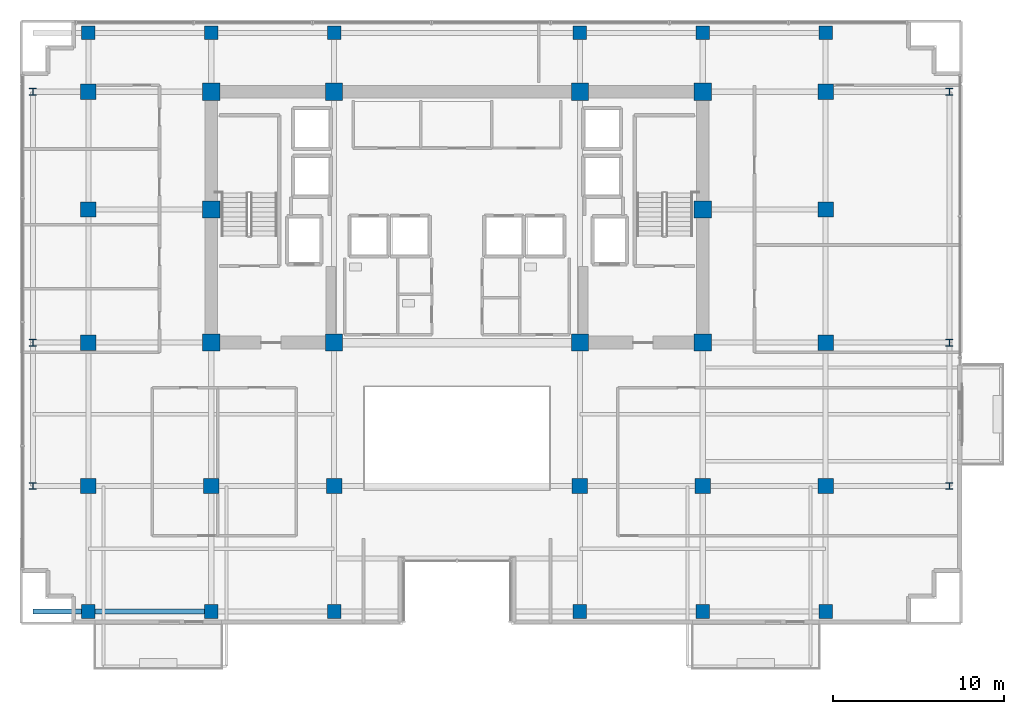
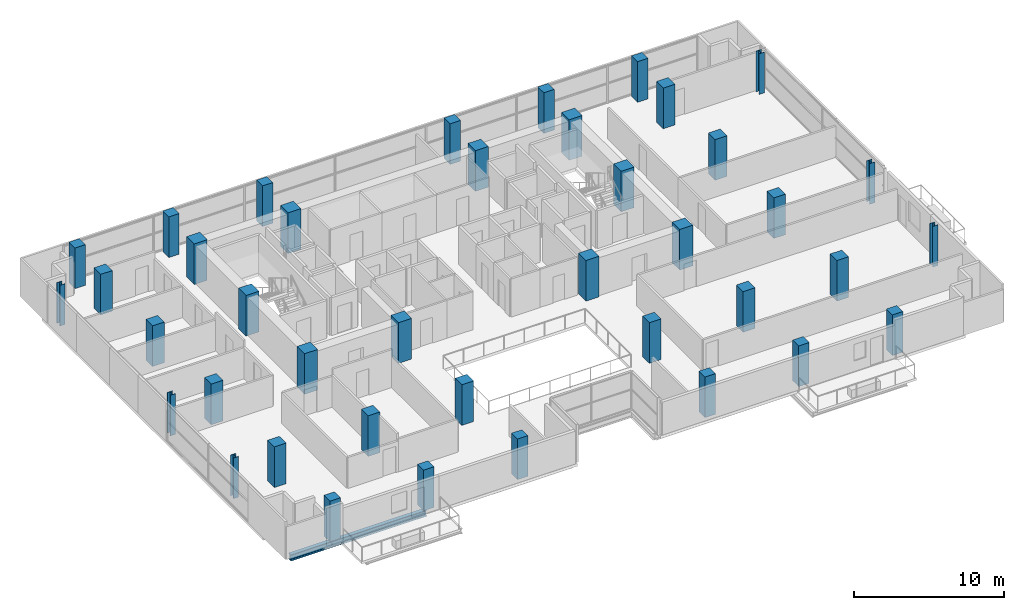
# One storey, part 1 of 24: 40 columns, 2 beams.
"""IFC4 building model written with IfcOpenShell, lengths in metres."""

from ifc_helpers import new_model, si_unit, direction, frame, origin, origin_2d, place, context, subcontext, project, spatial, rectangle, i_section, extrude, material, material_profile, profile_set, type_object, element, save


model = new_model("IFC4")

# Units and contexts
model_context = context("Model", 3, precision=1e-05, world=origin(), true_north=direction((0.0, 1.0)))
body_context = subcontext(model_context, "Body", "Model", "MODEL_VIEW")
ifc_project = project(units=[si_unit("LENGTHUNIT", "METRE"), si_unit("AREAUNIT", "SQUARE_METRE"), si_unit("VOLUMEUNIT", "CUBIC_METRE"), si_unit("PLANEANGLEUNIT", "RADIAN"), si_unit("MASSUNIT", "GRAM", prefix="KILO")], contexts=[model_context])

# Site, building, storey
site_placement = place(None, origin())
site = spatial("IfcSite", under=ifc_project, at=site_placement, CompositionType="ELEMENT")
building_placement = place(site_placement, origin())
building = spatial("IfcBuilding", under=site, at=building_placement, Name="Zarnakvel Exchange Tower", CompositionType="ELEMENT")
storey_placement = place(building_placement, frame((0.0, 0.0, 119.800048828125)))
storey = spatial("IfcBuildingStorey", under=building, at=storey_placement, Name="L33", CompositionType="ELEMENT", Elevation=119.800048828125)

# Columns
ifc_material_1 = material(Name="Concrete C60/75", Category="concrete")
ifc_material_profile_1 = material_profile(ifc_material_1, rectangle(XDim=1.0, YDim=1.0, at=origin_2d()))
ifc_profile_set_1 = profile_set([ifc_material_profile_1], Name="Concrete C60/75")
column_type_1 = type_object("IfcColumnType", Name="CC-02", PredefinedType="COLUMN", material=ifc_profile_set_1)
for number, where, z_axis, x_axis, name in (
    (1, (-14.39990234375, -1.199951171875, 0.0), (0.0, 0.0, 1.0), (1.0, 0.0, 0.0), "L33 Column C-4D (CC-02)"),
    (2, (-7.199951171875, -1.199951171875, 0.0), (0.0, 0.0, 1.0), (1.0, 0.0, 0.0), "L33 Column C-5D (CC-02)"),
    (3, (7.199951171875, -1.199951171875, 0.0), (0.0, 0.0, 1.0), (1.0, 0.0, 0.0), "L33 Column C-8D (CC-02)"),
    (4, (14.39990234375, -1.199951171875, 0.0), (0.0, 0.0, 1.0), (1.0, 0.0, 0.0), "L33 Column C-9D (CC-02)"),
    (5, (-14.39990234375, 6.60009765625, 0.0), (0.0, 0.0, 1.0), (1.0, 0.0, 0.0), "L33 Column C-4E (CC-02)"),
    (6, (14.39990234375, 6.60009765625, 0.0), (0.0, 0.0, 1.0), (1.0, 0.0, 0.0), "L33 Column C-9E (CC-02)"),
    (7, (-14.39990234375, 13.5, 0.0), (0.0, 0.0, 1.0), (1.0, 0.0, 0.0), "L33 Column C-4F (CC-02)"),
    (8, (-7.199951171875, 13.5, 0.0), (0.0, 0.0, 1.0), (1.0, 0.0, 0.0), "L33 Column C-5F (CC-02)"),
    (9, (7.199951171875, 13.5, 0.0), (0.0, 0.0, 1.0), (1.0, 0.0, 0.0), "L33 Column C-8F (CC-02)"),
    (10, (14.39990234375, 13.5, 0.0), (0.0, 0.0, 1.0), (1.0, 0.0, 0.0), "L33 Column C-9F (CC-02)"),
):
    element("IfcColumn", number, at=place(storey_placement, frame(where, z_axis=z_axis, x_axis=x_axis)), inside=storey, type_object=column_type_1, Name=name, PredefinedType="COLUMN", context=body_context, shape_type="SweptSolid", body=[
        extrude(rectangle(XDim=1.0, YDim=1.0, at=origin_2d()), origin(), (0.0, 0.0, 1.0), 3.300048828125),
    ])
ifc_material_2 = material(Name="Steel S355", Category="steel")
ifc_material_profile_2 = material_profile(ifc_material_2, i_section(OverallWidth=0.404052734375, OverallDepth=0.406982421875, WebThickness=0.0224609375, FlangeThickness=0.031982421875, FilletRadius=0.014892578125, at=origin_2d()))
ifc_profile_set_2 = profile_set([ifc_material_profile_2], Name="Steel S355")
column_type_2 = type_object("IfcColumnType", Name="SC-02", PredefinedType="COLUMN", material=ifc_profile_set_2)
for number, where, z_axis, x_axis, name in (
    (11, (-24.85009765625, -9.60009765625, 0.0), (0.0, 0.0, 1.0), (1.0, 0.0, 0.0), "L33 Column TW-C (SC-02)"),
    (12, (28.85009765625, -9.60009765625, 0.0), (0.0, 0.0, 1.0), (1.0, 0.0, 0.0), "L33 Column TE-C (SC-02)"),
    (13, (-24.85009765625, -1.199951171875, 0.0), (0.0, 0.0, 1.0), (1.0, 0.0, 0.0), "L33 Column TW-D (SC-02)"),
    (14, (28.85009765625, -1.199951171875, 0.0), (0.0, 0.0, 1.0), (1.0, 0.0, 0.0), "L33 Column TE-D (SC-02)"),
    (15, (-24.85009765625, 13.5, 0.0), (0.0, 0.0, 1.0), (1.0, 0.0, 0.0), "L33 Column TW-F (SC-02)"),
    (16, (28.85009765625, 13.5, 0.0), (0.0, 0.0, 1.0), (1.0, 0.0, 0.0), "L33 Column TE-F (SC-02)"),
):
    element("IfcColumn", number, at=place(storey_placement, frame(where, z_axis=z_axis, x_axis=x_axis)), inside=storey, type_object=column_type_2, Name=name, PredefinedType="COLUMN", context=body_context, shape_type="SweptSolid", body=[
        extrude(i_section(OverallWidth=0.404052734375, OverallDepth=0.406982421875, WebThickness=0.0224609375, FlangeThickness=0.031982421875, FilletRadius=0.014892578125, at=origin_2d()), origin(), (0.0, 0.0, 1.0), 3.300048828125),
    ])
ifc_material_profile_3 = material_profile(ifc_material_1, rectangle(XDim=0.89990234375, YDim=0.89990234375, at=origin_2d()))
ifc_profile_set_3 = profile_set([ifc_material_profile_3], Name="Concrete C60/75")
column_type_3 = type_object("IfcColumnType", Name="TC-02", PredefinedType="COLUMN", material=ifc_profile_set_3)
for number, where, z_axis, x_axis, name in (
    (17, (-14.39990234375, -9.60009765625, 0.0), (0.0, 0.0, 1.0), (1.0, 0.0, 0.0), "L33 Column T-4C (TC-02)"),
    (18, (-7.199951171875, -9.60009765625, 0.0), (0.0, 0.0, 1.0), (1.0, 0.0, 0.0), "L33 Column T-5C (TC-02)"),
    (19, (7.199951171875, -9.60009765625, 0.0), (0.0, 0.0, 1.0), (1.0, 0.0, 0.0), "L33 Column T-8C (TC-02)"),
    (20, (14.39990234375, -9.60009765625, 0.0), (0.0, 0.0, 1.0), (1.0, 0.0, 0.0), "L33 Column T-9C (TC-02)"),
    (21, (-21.60009765625, -9.60009765625, 0.0), (0.0, 0.0, 1.0), (1.0, 0.0, 0.0), "L33 Column T-3C (TC-02)"),
    (22, (-21.60009765625, -1.199951171875, 0.0), (0.0, 0.0, 1.0), (1.0, 0.0, 0.0), "L33 Column T-3D (TC-02)"),
    (23, (-21.60009765625, 6.60009765625, 0.0), (0.0, 0.0, 1.0), (1.0, 0.0, 0.0), "L33 Column T-3E (TC-02)"),
    (24, (-21.60009765625, 13.5, 0.0), (0.0, 0.0, 1.0), (1.0, 0.0, 0.0), "L33 Column T-3F (TC-02)"),
    (25, (21.60009765625, -9.60009765625, 0.0), (0.0, 0.0, 1.0), (1.0, 0.0, 0.0), "L33 Column T-10C (TC-02)"),
    (26, (21.60009765625, -1.199951171875, 0.0), (0.0, 0.0, 1.0), (1.0, 0.0, 0.0), "L33 Column T-10D (TC-02)"),
    (27, (21.60009765625, 6.60009765625, 0.0), (0.0, 0.0, 1.0), (1.0, 0.0, 0.0), "L33 Column T-10E (TC-02)"),
    (28, (21.60009765625, 13.5, 0.0), (0.0, 0.0, 1.0), (1.0, 0.0, 0.0), "L33 Column T-10F (TC-02)"),
):
    element("IfcColumn", number, at=place(storey_placement, frame(where, z_axis=z_axis, x_axis=x_axis)), inside=storey, type_object=column_type_3, Name=name, PredefinedType="COLUMN", context=body_context, shape_type="SweptSolid", body=[
        extrude(rectangle(XDim=0.89990234375, YDim=0.89990234375, at=origin_2d()), origin(), (0.0, 0.0, 1.0), 3.300048828125),
    ])
ifc_material_profile_4 = material_profile(ifc_material_1, rectangle(XDim=0.800048828125, YDim=0.800048828125, at=origin_2d()))
ifc_profile_set_4 = profile_set([ifc_material_profile_4], Name="Concrete C60/75")
column_type_4 = type_object("IfcColumnType", Name="TC-03", PredefinedType="COLUMN", material=ifc_profile_set_4)
for number, where, z_axis, x_axis, name in (
    (29, (-14.39990234375, -16.949951171875, 0.0), (0.0, 0.0, 1.0), (1.0, 0.0, 0.0), "L33 Column TS-4 (TC-03)"),
    (30, (-14.39990234375, 16.949951171875, 0.0), (0.0, 0.0, 1.0), (1.0, 0.0, 0.0), "L33 Column TN-4 (TC-03)"),
    (31, (-7.199951171875, -16.949951171875, 0.0), (0.0, 0.0, 1.0), (1.0, 0.0, 0.0), "L33 Column TS-5 (TC-03)"),
    (32, (-7.199951171875, 16.949951171875, 0.0), (0.0, 0.0, 1.0), (1.0, 0.0, 0.0), "L33 Column TN-5 (TC-03)"),
    (33, (7.199951171875, -16.949951171875, 0.0), (0.0, 0.0, 1.0), (1.0, 0.0, 0.0), "L33 Column TS-8 (TC-03)"),
    (34, (7.199951171875, 16.949951171875, 0.0), (0.0, 0.0, 1.0), (1.0, 0.0, 0.0), "L33 Column TN-8 (TC-03)"),
    (35, (14.39990234375, -16.949951171875, 0.0), (0.0, 0.0, 1.0), (1.0, 0.0, 0.0), "L33 Column TS-9 (TC-03)"),
    (36, (14.39990234375, 16.949951171875, 0.0), (0.0, 0.0, 1.0), (1.0, 0.0, 0.0), "L33 Column TN-9 (TC-03)"),
    (37, (-21.60009765625, -16.949951171875, 0.0), (0.0, 0.0, 1.0), (1.0, 0.0, 0.0), "L33 Column TS-3 (TC-03)"),
    (38, (-21.60009765625, 16.949951171875, 0.0), (0.0, 0.0, 1.0), (1.0, 0.0, 0.0), "L33 Column TN-3 (TC-03)"),
    (39, (21.60009765625, -16.949951171875, 0.0), (0.0, 0.0, 1.0), (1.0, 0.0, 0.0), "L33 Column TS-10 (TC-03)"),
    (40, (21.60009765625, 16.949951171875, 0.0), (0.0, 0.0, 1.0), (1.0, 0.0, 0.0), "L33 Column TN-10 (TC-03)"),
):
    element("IfcColumn", number, at=place(storey_placement, frame(where, z_axis=z_axis, x_axis=x_axis)), inside=storey, type_object=column_type_4, Name=name, PredefinedType="COLUMN", context=body_context, shape_type="SweptSolid", body=[
        extrude(rectangle(XDim=0.800048828125, YDim=0.800048828125, at=origin_2d()), origin(), (0.0, 0.0, 1.0), 3.300048828125),
    ])

# Beams
ifc_material_profile_5 = material_profile(ifc_material_2, i_section(OverallWidth=0.300048828125, OverallDepth=0.5, WebThickness=0.014404296875, FlangeThickness=0.028076171875, FilletRadius=0.027099609375, at=origin_2d()))
ifc_profile_set_5 = profile_set([ifc_material_profile_5], Name="Steel S355")
beam_type = type_object("IfcBeamType", Name="SP-02", PredefinedType="SPANDREL", material=ifc_profile_set_5)
beam_1_placement = place(storey_placement, frame((-21.60009765625, -16.949951171875, -0.47509765625), z_axis=(1.0, 0.0, 0.0), x_axis=(0.0, 1.0, 0.0)))
element("IfcBeam", 41, at=beam_1_placement, inside=storey, type_object=beam_type, Name="L33 Tower E-W Frame Beam", PredefinedType="SPANDREL", context=body_context, shape_type="SweptSolid", body=[
    extrude(i_section(OverallWidth=0.300048828125, OverallDepth=0.5, WebThickness=0.014404296875, FlangeThickness=0.028076171875, FilletRadius=0.027099609375, at=origin_2d()), origin(), (0.0, 0.0, 1.0), 7.2001953125),
])
beam_2_placement = place(storey_placement, frame((-24.85009765625, -16.949951171875, -0.47509765625), z_axis=(1.0, 0.0, 0.0), x_axis=(0.0, 1.0, 0.0)))
element("IfcBeam", 42, at=beam_2_placement, inside=storey, type_object=beam_type, Name="L33 South-West Corner Spandrel", PredefinedType="SPANDREL", context=body_context, shape_type="SweptSolid", body=[
    extrude(i_section(OverallWidth=0.300048828125, OverallDepth=0.5, WebThickness=0.014404296875, FlangeThickness=0.028076171875, FilletRadius=0.027099609375, at=origin_2d()), origin(), (0.0, 0.0, 1.0), 3.25),
])

save(model, "model.ifc")
